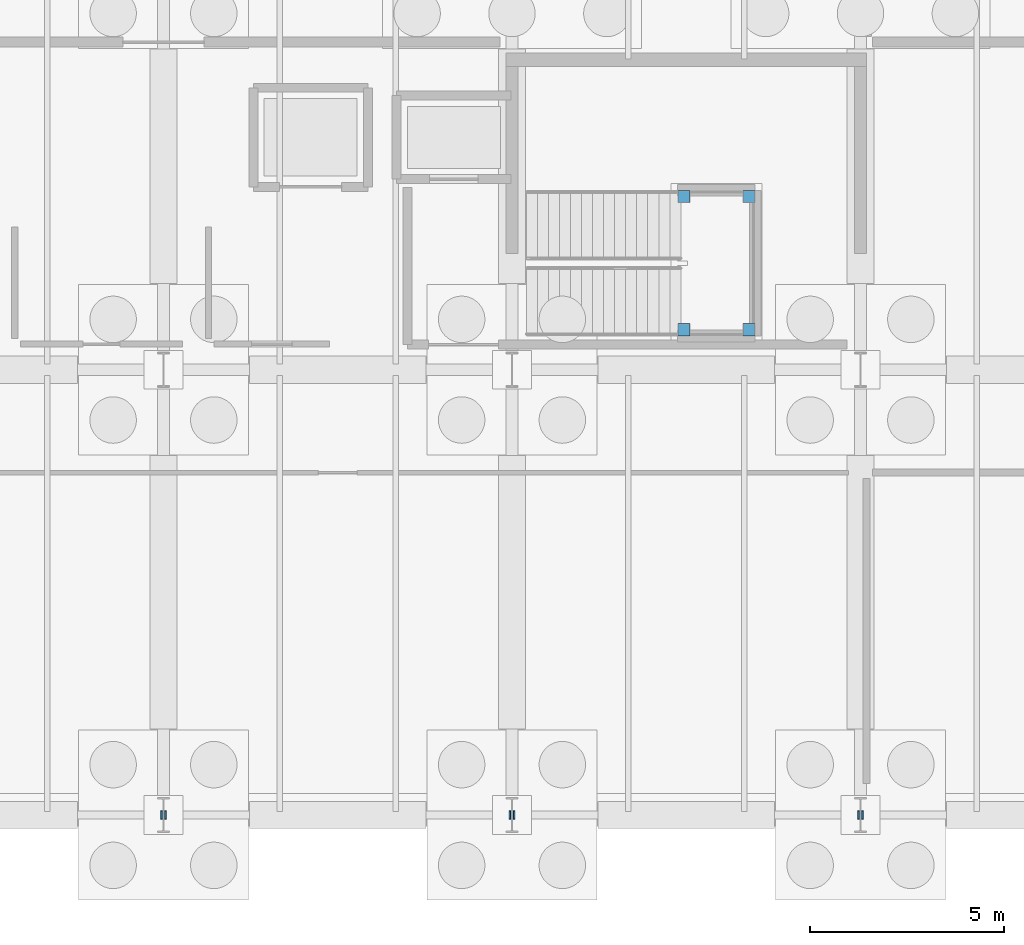
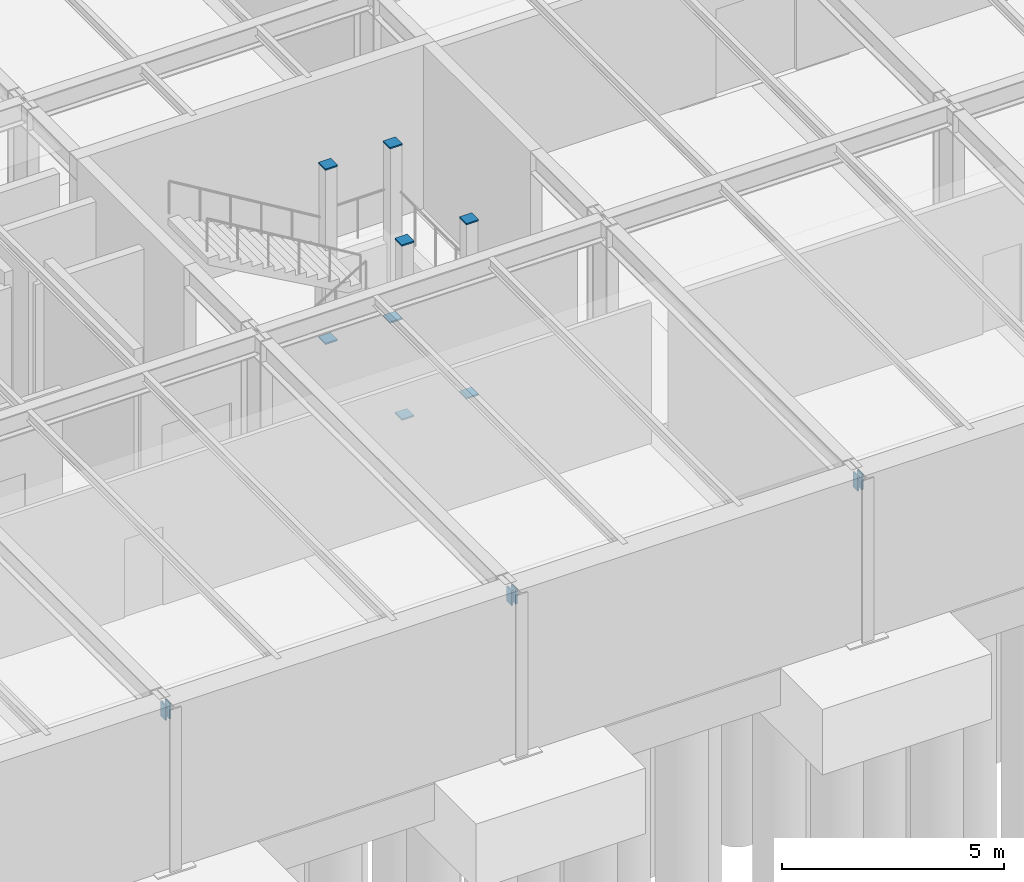
# One storey, part 13 of 19: 14 discrete accessories.
"""IFC4 building model written with IfcOpenShell, lengths in metres."""

from ifc_helpers import new_model, si_unit, direction, frame, origin, origin_2d, place, context, subcontext, project, spatial, rectangle, extrude, material, element, save


model = new_model("IFC4")

# Units and contexts
model_context = context("Model", 3, precision=1e-05, world=origin(), true_north=direction((0.0, 1.0)))
body_context = subcontext(model_context, "Body", "Model", "MODEL_VIEW")
ifc_project = project(units=[si_unit("LENGTHUNIT", "METRE"), si_unit("AREAUNIT", "SQUARE_METRE"), si_unit("VOLUMEUNIT", "CUBIC_METRE"), si_unit("PLANEANGLEUNIT", "RADIAN"), si_unit("MASSUNIT", "GRAM", prefix="KILO")], contexts=[model_context])

# Site, building, storey
site_placement = place(None, origin())
site = spatial("IfcSite", under=ifc_project, at=site_placement, CompositionType="ELEMENT")
building_placement = place(site_placement, origin())
building = spatial("IfcBuilding", under=site, at=building_placement, Name="Marlcrest Central Station", CompositionType="ELEMENT")
storey_placement = place(building_placement, frame((0.0, 0.0, -4.800048828125)))
storey = spatial("IfcBuildingStorey", under=building, at=storey_placement, Name="B1", CompositionType="ELEMENT", Elevation=-4.800048828125)

# Discrete accessories
ifc_material = material(Name="Steel S355", Category="steel")
for number, where, z_axis, x_axis, name in (
    (1, (35.925048828125, 99.0, 4.195068359375), (1.0, 0.0, 0.0), (0.0, 1.0, 0.0), "endcap-bm-SP-01-B1-00004-e"),
    (2, (36.03515625, 99.0, 4.195068359375), (1.0, 0.0, 0.0), (0.0, 1.0, 0.0), "endcap-bm-SP-01-B1-00005-s"),
    (3, (44.925048828125, 99.0, 4.195068359375), (1.0, 0.0, 0.0), (0.0, 1.0, 0.0), "endcap-bm-SP-01-B1-00005-e"),
    (4, (45.03515625, 99.0, 4.195068359375), (1.0, 0.0, 0.0), (0.0, 1.0, 0.0), "endcap-bm-SP-01-B1-00006-s"),
    (5, (53.925048828125, 99.0, 4.195068359375), (1.0, 0.0, 0.0), (0.0, 1.0, 0.0), "endcap-bm-SP-01-B1-00006-e"),
    (6, (54.03515625, 99.0, 4.195068359375), (1.0, 0.0, 0.0), (0.0, 1.0, 0.0), "endcap-bm-SP-01-B1-00007-s"),
):
    element("IfcDiscreteAccessory", number, at=place(storey_placement, frame(where, z_axis=z_axis, x_axis=x_axis)), inside=storey, material=ifc_material, Name=name, ObjectType="END_CAP_PLATE", PredefinedType="BRACKET", context=body_context, shape_type="SweptSolid", body=[
        extrude(rectangle(XDim=0.216064453125, YDim=0.416015625, at=origin_2d()), origin(), (0.0, 0.0, 1.0), 0.0400390625),
    ])
for number, where, z_axis, x_axis, name in (
    (7, (49.43994140625, 111.530029296875, -0.014892578125), (0.0, 0.0, 1.0), (1.0, 0.0, 0.0), "endcap-htcol-b1-0043-0-s"),
    (8, (49.43994140625, 111.530029296875, 4.775146484375), (0.0, 0.0, 1.0), (1.0, 0.0, 0.0), "endcap-htcol-b1-0043-0-e"),
    (9, (51.1201171875, 111.530029296875, -0.014892578125), (0.0, 0.0, 1.0), (1.0, 0.0, 0.0), "endcap-htcol-b1-0043-1-s"),
    (10, (51.1201171875, 111.530029296875, 4.775146484375), (0.0, 0.0, 1.0), (1.0, 0.0, 0.0), "endcap-htcol-b1-0043-1-e"),
    (11, (51.1201171875, 114.969970703125, -0.014892578125), (0.0, 0.0, 1.0), (1.0, 0.0, 0.0), "endcap-htcol-b1-0043-2-s"),
    (12, (51.1201171875, 114.969970703125, 4.775146484375), (0.0, 0.0, 1.0), (1.0, 0.0, 0.0), "endcap-htcol-b1-0043-2-e"),
    (13, (49.43994140625, 114.969970703125, -0.014892578125), (0.0, 0.0, 1.0), (1.0, 0.0, 0.0), "endcap-htcol-b1-0043-3-s"),
    (14, (49.43994140625, 114.969970703125, 4.775146484375), (0.0, 0.0, 1.0), (1.0, 0.0, 0.0), "endcap-htcol-b1-0043-3-e"),
):
    element("IfcDiscreteAccessory", number, at=place(storey_placement, frame(where, z_axis=z_axis, x_axis=x_axis)), inside=storey, material=ifc_material, Name=name, ObjectType="END_CAP_PLATE", PredefinedType="BRACKET", context=body_context, shape_type="SweptSolid", body=[
        extrude(rectangle(XDim=0.31591796875, YDim=0.31591796875, at=origin_2d()), origin(), (0.0, 0.0, 1.0), 0.0400390625),
    ])

save(model, "model.ifc")
